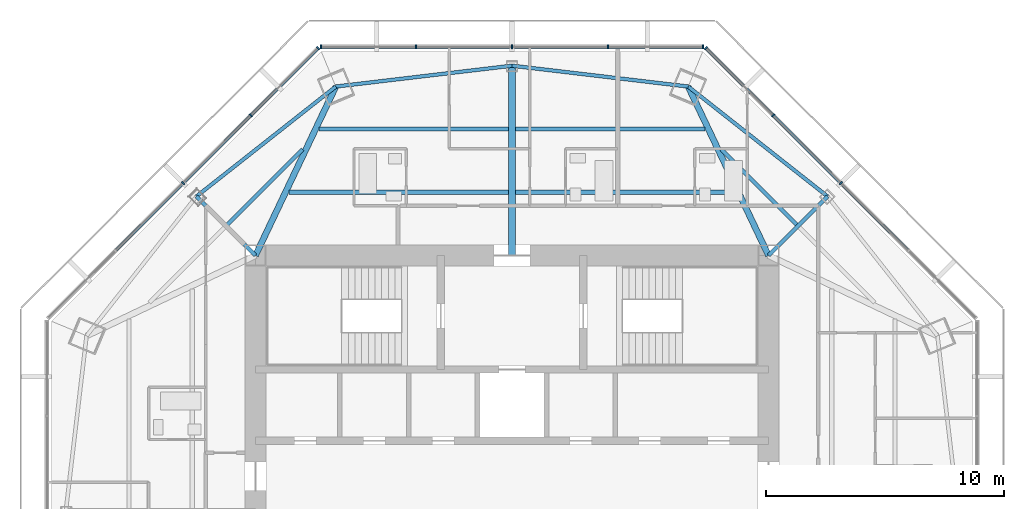
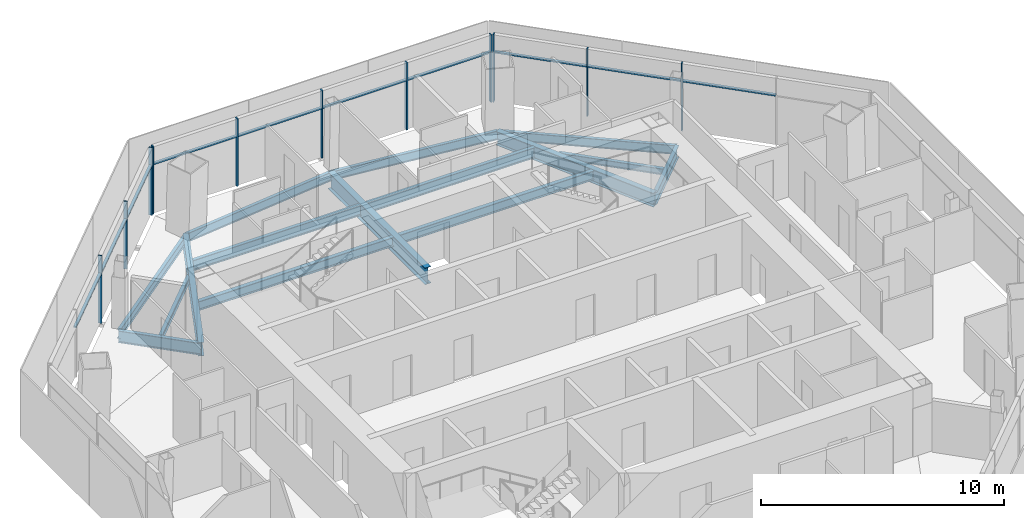
# One storey, part 6 of 15: 21 members, 15 beams, 3 elements without a shape of their own.
"""IFC4 building model written with IfcOpenShell, lengths in metres."""

from ifc_helpers import new_model, si_unit, direction, frame, origin, origin_2d, place, context, subcontext, project, spatial, rectangle, i_section, extrude, source, transform, mapped, material, material_profile, profile_set, type_object, type_shapes, element, aggregate, save


model = new_model("IFC4")

# Units and contexts
model_context = context("Model", 3, precision=1e-05, world=origin(), true_north=direction((0.0, 1.0)))
body_context = subcontext(model_context, "Body", "Model", "MODEL_VIEW")
ifc_project = project(units=[si_unit("LENGTHUNIT", "METRE"), si_unit("AREAUNIT", "SQUARE_METRE"), si_unit("VOLUMEUNIT", "CUBIC_METRE"), si_unit("PLANEANGLEUNIT", "RADIAN"), si_unit("MASSUNIT", "GRAM", prefix="KILO")], contexts=[model_context])

# Site, building, storey
site_placement = place(None, origin())
site = spatial("IfcSite", under=ifc_project, at=site_placement, CompositionType="ELEMENT")
building_placement = place(site_placement, origin())
building = spatial("IfcBuilding", under=site, at=building_placement, Name="Mashrafa Tower", CompositionType="ELEMENT")
storey_placement = place(building_placement, frame((0.0, 0.0, 298.0)))
storey = spatial("IfcBuildingStorey", under=building, at=storey_placement, Name="L73", CompositionType="ELEMENT", Elevation=298.0)

# Beams
ifc_material_1 = material(Name="Steel ASTM A992", Category="steel")
ifc_material_profile_1 = material_profile(ifc_material_1, i_section(OverallWidth=0.164794921875, OverallDepth=0.309814453125, WebThickness=0.005859375, FlangeThickness=0.009765625, FilletRadius=0.007568359375, at=origin_2d()), Name="W12X26")
ifc_profile_set_1 = profile_set([ifc_material_profile_1], Name="Steel ASTM A992")
beam_type_1 = type_object("IfcBeamType", Name="Beam W12X26", PredefinedType="BEAM", material=ifc_profile_set_1)
for number, where, z_axis, x_axis, name in (
    (1, (-11.98046875, 12.1064453125, -0.35498046875), (0.707134074703, 0.707079486616, 0.0), (-0.707079486616, 0.707134074703, 0.0), "Floor beam L73 007"),
    (2, (8.81787109375, 15.268798828125, -0.35498046875), (0.707134074703, -0.707079486616, 0.0), (0.707079486616, 0.707134074703, 0.0), "Floor beam L73 016"),
):
    element("IfcBeam", number, at=place(storey_placement, frame(where, z_axis=z_axis, x_axis=x_axis)), inside=storey, type_object=beam_type_1, Name=name, PredefinedType="BEAM", context=body_context, shape_type="SweptSolid", body=[
        extrude(i_section(OverallWidth=0.164794921875, OverallDepth=0.309814453125, WebThickness=0.005859375, FlangeThickness=0.009765625, FilletRadius=0.007568359375, at=origin_2d()), origin(), (0.0, 0.0, 1.0), 4.472412109375),
    ])
ifc_material_2 = material(Name="Steel ASTM A992", Category="steel")
ifc_material_profile_2 = material_profile(ifc_material_2, i_section(OverallWidth=0.15234375, OverallDepth=0.449462890625, WebThickness=0.007568359375, FlangeThickness=0.0107421875, FilletRadius=0.01025390625, at=origin_2d()), Name="W18X35")
ifc_profile_set_2 = profile_set([ifc_material_profile_2], Name="Steel ASTM A992")
beam_type_2 = type_object("IfcBeamType", Name="Beam W18X35", PredefinedType="BEAM", material=ifc_profile_set_2)
for number, where, z_axis, x_axis, name in (
    (3, (-7.41943359375, 17.912109375, -0.4248046875), (-0.785334240221, -0.619071991885, 0.0), (0.619071991885, -0.785334240221, 0.0), "Spandrel beam L73 047"),
    (4, (0.0, 18.790283203125, -0.4248046875), (-0.993068050855, -0.117540828527, 0.0), (0.117540828527, -0.993068050855, 0.0), "Spandrel beam L73 049"),
    (5, (7.41943359375, 17.912109375, -0.4248046875), (-0.993068050855, 0.117540828527, 0.0), (-0.117540828527, -0.993068050855, 0.0), "Spandrel beam L73 051"),
    (6, (13.286865234375, 13.286865234375, -0.4248046875), (-0.785334240221, 0.619071991885, 0.0), (-0.619071991885, -0.785334240221, 0.0), "Spandrel beam L73 053"),
):
    element("IfcBeam", number, at=place(storey_placement, frame(where, z_axis=z_axis, x_axis=x_axis)), inside=storey, type_object=beam_type_2, Name=name, PredefinedType="BEAM", context=body_context, shape_type="SweptSolid", body=[
        extrude(i_section(OverallWidth=0.15234375, OverallDepth=0.449462890625, WebThickness=0.007568359375, FlangeThickness=0.0107421875, FilletRadius=0.01025390625, at=origin_2d()), origin(), (0.0, 0.0, 1.0), 7.47119140625),
    ])
ifc_material_3 = material(Name="Steel ASTM A992", Category="steel")
ifc_material_profile_3 = material_profile(ifc_material_3, i_section(OverallWidth=0.191162109375, OverallDepth=0.459716796875, WebThickness=0.010009765625, FlangeThickness=0.01611328125, FilletRadius=0.01025390625, at=origin_2d()), Name="W18X55")
ifc_profile_set_3 = profile_set([ifc_material_profile_3], Name="Steel ASTM A992")
beam_type_3 = type_object("IfcBeamType", Name="Beam W18X55", PredefinedType="BEAM", material=ifc_profile_set_3)
for number, where, z_axis, x_axis, name in (
    (7, (-9.39208984375, 13.46337890625, -0.429931640625), (1.0, 0.0, 0.0), (0.0, 1.0, 0.0), "Floor beam L73 008"),
    (8, (0.14599609375, 13.46337890625, -0.429931640625), (1.0, 0.0, 0.0), (0.0, 1.0, 0.0), "Floor beam L73 013"),
):
    element("IfcBeam", number, at=place(storey_placement, frame(where, z_axis=z_axis, x_axis=x_axis)), inside=storey, type_object=beam_type_3, Name=name, PredefinedType="BEAM", context=body_context, shape_type="SweptSolid", body=[
        extrude(i_section(OverallWidth=0.191162109375, OverallDepth=0.459716796875, WebThickness=0.010009765625, FlangeThickness=0.01611328125, FilletRadius=0.01025390625, at=origin_2d()), origin(), (0.0, 0.0, 1.0), 9.24609375),
    ])
ifc_material_4 = material(Name="Steel ASTM A992", Category="steel")
ifc_material_profile_4 = material_profile(ifc_material_4, i_section(OverallWidth=0.165771484375, OverallDepth=0.5283203125, WebThickness=0.009765625, FlangeThickness=0.013671875, FilletRadius=0.012939453125, at=origin_2d()), Name="W21X50")
ifc_profile_set_4 = profile_set([ifc_material_profile_4], Name="Steel ASTM A992")
beam_type_4 = type_object("IfcBeamType", Name="Beam W21X50", PredefinedType="BEAM", material=ifc_profile_set_4)
for number, where, z_axis, x_axis, name in (
    (9, (-8.126220703125, 16.126953125, -0.464111328125), (1.0, 0.0, 0.0), (0.0, 1.0, 0.0), "Floor beam L73 010"),
    (10, (0.14599609375, 16.126953125, -0.464111328125), (1.0, 0.0, 0.0), (0.0, 1.0, 0.0), "Floor beam L73 014"),
):
    element("IfcBeam", number, at=place(storey_placement, frame(where, z_axis=z_axis, x_axis=x_axis)), inside=storey, type_object=beam_type_4, Name=name, PredefinedType="BEAM", context=body_context, shape_type="SweptSolid", body=[
        extrude(i_section(OverallWidth=0.165771484375, OverallDepth=0.5283203125, WebThickness=0.009765625, FlangeThickness=0.013671875, FilletRadius=0.012939453125, at=origin_2d()), origin(), (0.0, 0.0, 1.0), 7.980224609375),
    ])
ifc_material_5 = material(Name="Steel ASTM A992", Category="steel")
ifc_material_profile_5 = material_profile(ifc_material_5, i_section(OverallWidth=0.177978515625, OverallDepth=0.599365234375, WebThickness=0.010009765625, FlangeThickness=0.012939453125, FilletRadius=0.012939453125, at=origin_2d()), Name="W24X55")
ifc_profile_set_5 = profile_set([ifc_material_profile_5], Name="Steel ASTM A992")
beam_type_5 = type_object("IfcBeamType", Name="Beam W24X55", PredefinedType="BEAM", material=ifc_profile_set_5)
for number, where, z_axis, x_axis, name in (
    (11, (-10.800048828125, 10.800048828125, -0.499755859375), (-0.707106781187, 0.707106781187, 0.0), (-0.707106781187, -0.707106781187, 0.0), "Radial girder L73 030"),
    (12, (10.800048828125, 10.800048828125, -0.499755859375), (0.707106781187, 0.707106781187, 0.0), (-0.707106781187, 0.707106781187, 0.0), "Radial girder L73 039"),
):
    element("IfcBeam", number, at=place(storey_placement, frame(where, z_axis=z_axis, x_axis=x_axis)), inside=storey, type_object=beam_type_5, Name=name, PredefinedType="BEAM", context=body_context, shape_type="SweptSolid", body=[
        extrude(i_section(OverallWidth=0.177978515625, OverallDepth=0.599365234375, WebThickness=0.010009765625, FlangeThickness=0.012939453125, FilletRadius=0.012939453125, at=origin_2d()), origin(), (0.0, 0.0, 1.0), 3.516845703125),
    ])
ifc_material_6 = material(Name="Steel ASTM A992", Category="steel")
ifc_material_profile_6 = material_profile(ifc_material_6, i_section(OverallWidth=0.256591796875, OverallDepth=0.693359375, WebThickness=0.014404296875, FlangeThickness=0.023681640625, FilletRadius=0.01513671875, at=origin_2d()), Name="W27X114")
ifc_profile_set_6 = profile_set([ifc_material_profile_6], Name="Steel ASTM A992")
beam_type_6 = type_object("IfcBeamType", Name="Beam W27X114", PredefinedType="BEAM", material=ifc_profile_set_6)
for number, where, z_axis, x_axis, name in (
    (13, (-10.800048828125, 10.800048828125, -0.546630859375), (0.429304066805, 0.903160018061, 0.0), (-0.903160018061, 0.429304066805, 0.0), "Radial girder L73 031"),
    (14, (10.800048828125, 10.800048828125, -0.546630859375), (-0.429304066805, 0.903160018061, 0.0), (-0.903160018061, -0.429304066805, 0.0), "Radial girder L73 038"),
):
    element("IfcBeam", number, at=place(storey_placement, frame(where, z_axis=z_axis, x_axis=x_axis)), inside=storey, type_object=beam_type_6, Name=name, PredefinedType="BEAM", context=body_context, shape_type="SweptSolid", body=[
        extrude(i_section(OverallWidth=0.256591796875, OverallDepth=0.693359375, WebThickness=0.014404296875, FlangeThickness=0.023681640625, FilletRadius=0.01513671875, at=origin_2d()), origin(), (0.0, 0.0, 1.0), 7.874755859375),
    ])
ifc_material_7 = material(Name="Steel ASTM A992", Category="steel")
ifc_material_profile_7 = material_profile(ifc_material_7, i_section(OverallWidth=0.2919921875, OverallDepth=0.8408203125, WebThickness=0.0146484375, FlangeThickness=0.021728515625, FilletRadius=0.017333984375, at=origin_2d()), Name="W33X130")
ifc_profile_set_7 = profile_set([ifc_material_profile_7], Name="Steel ASTM A992")
beam_type_7 = type_object("IfcBeamType", Name="Beam W33X130", PredefinedType="BEAM", material=ifc_profile_set_7)
beam_placement = place(storey_placement, frame((0.0, 10.800048828125, -0.620361328125), z_axis=(0.0, 1.0, 0.0), x_axis=(-1.0, 0.0, 0.0)))
element("IfcBeam", 15, at=beam_placement, inside=storey, type_object=beam_type_7, Name="Radial girder L73 033", PredefinedType="BEAM", context=body_context, shape_type="SweptSolid", body=[
    extrude(i_section(OverallWidth=0.2919921875, OverallDepth=0.8408203125, WebThickness=0.0146484375, FlangeThickness=0.021728515625, FilletRadius=0.017333984375, at=origin_2d()), origin(), (0.0, 0.0, 1.0), 7.990234375),
])

# Curtain wall, members
ifc_material_8 = material(Name="Unitised aluminium curtain wall", Category="aluminium")
curtain_wall_type = type_object("IfcCurtainWallType", Name="Apartment curtain wall, zone 4 CW-D 160 deep", PredefinedType="NOTDEFINED", material=ifc_material_8)
curtain_wall_1_placement = place(storey_placement, origin())
curtain_wall_1 = element("IfcCurtainWall", 16, at=curtain_wall_1_placement, inside=storey, type_object=curtain_wall_type, Name="Apartment curtain wall, zone 4 L73 north-east", PredefinedType="NOTDEFINED")
ifc_material_9 = material(Name="Extruded aluminium mullion", Category="aluminium")
ifc_material_profile_8 = material_profile(ifc_material_9, rectangle(XDim=0.159912109375, YDim=0.06005859375, at=origin_2d()), Name="Mullion 60x160")
ifc_profile_set_8 = profile_set([ifc_material_profile_8], Name="Extruded aluminium mullion")
member_type_1 = type_object("IfcMemberType", Name="Mullion CW-D 60 x 160", PredefinedType="MULLION", material=ifc_profile_set_8)
shared_shape_1 = source(origin(), body_context, "Body", "SweptSolid", [
    extrude(rectangle(XDim=0.159912109375, YDim=0.06005859375, at=origin_2d()), origin(), (0.0, 0.0, 1.0), 3.39990234375),
])
type_shapes(member_type_1, [shared_shape_1])
member_1_placement = place(storey_placement, frame((13.848388671875, 13.848388671875, 0.0), z_axis=(0.0, 0.0, 1.0), x_axis=(-0.707106781187, -0.707106781187, 0.0)))
member_1 = element("IfcMember", 17, at=member_1_placement, type_object=member_type_1, Name="CW-D mullion 3", PredefinedType="MULLION", context=body_context, shape_type="MappedRepresentation", body=[
    mapped(shared_shape_1, transform((0.0, 0.0, 0.0))),
])
member_2_placement = place(storey_placement, frame((10.99560546875, 16.701416015625, 0.0), z_axis=(0.0, 0.0, 1.0), x_axis=(-0.707106781187, -0.707106781187, 0.0)))
member_2 = element("IfcMember", 18, at=member_2_placement, type_object=member_type_1, Name="CW-D mullion 4", PredefinedType="MULLION", context=body_context, shape_type="MappedRepresentation", body=[
    mapped(shared_shape_1, transform((0.0, 0.0, 0.0))),
])
member_3_placement = place(storey_placement, frame((8.1640625, 19.532958984375, 0.0), z_axis=(0.0, 0.0, 1.0), x_axis=(-0.707106781187, -0.707106781187, 0.0)))
member_3 = element("IfcMember", 19, at=member_3_placement, type_object=member_type_1, Name="CW-D mullion 5", PredefinedType="MULLION", context=body_context, shape_type="MappedRepresentation", body=[
    mapped(shared_shape_1, transform((0.0, 0.0, 0.0))),
])

curtain_wall_2_placement = place(storey_placement, origin())
curtain_wall_2 = element("IfcCurtainWall", 20, at=curtain_wall_2_placement, inside=storey, type_object=curtain_wall_type, Name="Apartment curtain wall, zone 4 L73 north", PredefinedType="NOTDEFINED")
member_4_placement = place(storey_placement, frame((8.0390625, 19.584716796875, 0.0), z_axis=(0.0, 0.0, 1.0), x_axis=(0.0, -1.0, 0.0)))
member_4 = element("IfcMember", 21, at=member_4_placement, type_object=member_type_1, Name="CW-D mullion 1", PredefinedType="MULLION", context=body_context, shape_type="MappedRepresentation", body=[
    mapped(shared_shape_1, transform((0.0, 0.0, 0.0))),
])
member_5_placement = place(storey_placement, frame((4.03466796875, 19.584716796875, 0.0), z_axis=(0.0, 0.0, 1.0), x_axis=(0.0, -1.0, 0.0)))
member_5 = element("IfcMember", 22, at=member_5_placement, type_object=member_type_1, Name="CW-D mullion 2", PredefinedType="MULLION", context=body_context, shape_type="MappedRepresentation", body=[
    mapped(shared_shape_1, transform((0.0, 0.0, 0.0))),
])
member_6_placement = place(storey_placement, frame((0.0, 19.584716796875, 0.0), z_axis=(0.0, 0.0, 1.0), x_axis=(0.0, -1.0, 0.0)))
member_6 = element("IfcMember", 23, at=member_6_placement, type_object=member_type_1, Name="CW-D mullion 3", PredefinedType="MULLION", context=body_context, shape_type="MappedRepresentation", body=[
    mapped(shared_shape_1, transform((0.0, 0.0, 0.0))),
])
member_7_placement = place(storey_placement, frame((-4.03466796875, 19.584716796875, 0.0), z_axis=(0.0, 0.0, 1.0), x_axis=(0.0, -1.0, 0.0)))
member_7 = element("IfcMember", 24, at=member_7_placement, type_object=member_type_1, Name="CW-D mullion 4", PredefinedType="MULLION", context=body_context, shape_type="MappedRepresentation", body=[
    mapped(shared_shape_1, transform((0.0, 0.0, 0.0))),
])
member_8_placement = place(storey_placement, frame((-8.0390625, 19.584716796875, 0.0), z_axis=(0.0, 0.0, 1.0), x_axis=(0.0, -1.0, 0.0)))
member_8 = element("IfcMember", 25, at=member_8_placement, type_object=member_type_1, Name="CW-D mullion 5", PredefinedType="MULLION", context=body_context, shape_type="MappedRepresentation", body=[
    mapped(shared_shape_1, transform((0.0, 0.0, 0.0))),
])

curtain_wall_3_placement = place(storey_placement, origin())
curtain_wall_3 = element("IfcCurtainWall", 26, at=curtain_wall_3_placement, inside=storey, type_object=curtain_wall_type, Name="Apartment curtain wall, zone 4 L73 north-west", PredefinedType="NOTDEFINED")
member_9_placement = place(storey_placement, frame((-8.1640625, 19.532958984375, 0.0), z_axis=(0.0, 0.0, 1.0), x_axis=(0.707106781187, -0.707106781187, 0.0)))
member_9 = element("IfcMember", 27, at=member_9_placement, type_object=member_type_1, Name="CW-D mullion 1", PredefinedType="MULLION", context=body_context, shape_type="MappedRepresentation", body=[
    mapped(shared_shape_1, transform((0.0, 0.0, 0.0))),
])
member_10_placement = place(storey_placement, frame((-10.99560546875, 16.701416015625, 0.0), z_axis=(0.0, 0.0, 1.0), x_axis=(0.707106781187, -0.707106781187, 0.0)))
member_10 = element("IfcMember", 28, at=member_10_placement, type_object=member_type_1, Name="CW-D mullion 2", PredefinedType="MULLION", context=body_context, shape_type="MappedRepresentation", body=[
    mapped(shared_shape_1, transform((0.0, 0.0, 0.0))),
])
member_11_placement = place(storey_placement, frame((-13.848388671875, 13.848388671875, 0.0), z_axis=(0.0, 0.0, 1.0), x_axis=(0.707106781187, -0.707106781187, 0.0)))
member_11 = element("IfcMember", 29, at=member_11_placement, type_object=member_type_1, Name="CW-D mullion 3", PredefinedType="MULLION", context=body_context, shape_type="MappedRepresentation", body=[
    mapped(shared_shape_1, transform((0.0, 0.0, 0.0))),
])

# Member
ifc_material_10 = material(Name="Extruded aluminium transom", Category="aluminium")
ifc_material_profile_9 = material_profile(ifc_material_10, rectangle(XDim=0.1279296875, YDim=0.074951171875, at=origin_2d()), Name="Transom 75x128")
ifc_profile_set_9 = profile_set([ifc_material_profile_9], Name="Extruded aluminium transom")
member_type_2 = type_object("IfcMemberType", Name="Transom CW-D 75 x 128", PredefinedType="MULLION", material=ifc_profile_set_9)
shared_shape_2 = source(origin(), body_context, "Body", "SweptSolid", [
    extrude(rectangle(XDim=0.1279296875, YDim=0.074951171875, at=origin_2d()), origin(), (0.0, 0.0, 1.0), 3.944580078125),
])
member_12_placement = place(storey_placement, frame((8.009033203125, 19.584716796875, 2.5), z_axis=(-1.0, 0.0, 0.0), x_axis=(0.0, -1.0, 0.0)))
member_12 = element("IfcMember", 30, at=member_12_placement, type_object=member_type_2, Name="CW-D transom 1", PredefinedType="MULLION", context=body_context, shape_type="MappedRepresentation", body=[
    mapped(shared_shape_2, transform((0.0, 0.0, 0.0))),
])

member_13_placement = place(storey_placement, frame((-4.064453125, 19.584716796875, 2.5), z_axis=(-1.0, 0.0, 0.0), x_axis=(0.0, -1.0, 0.0)))
member_13 = element("IfcMember", 31, at=member_13_placement, type_object=member_type_2, Name="CW-D transom 4", PredefinedType="MULLION", context=body_context, shape_type="MappedRepresentation", body=[
    mapped(shared_shape_2, transform((0.0, 0.0, 0.0))),
])

shared_shape_3 = source(origin(), body_context, "Body", "SweptSolid", [
    extrude(rectangle(XDim=0.1279296875, YDim=0.074951171875, at=origin_2d()), origin(), (0.0, 0.0, 1.0), 3.974609375),
])
member_14_placement = place(storey_placement, frame((16.68017578125, 11.016845703125, 2.5), z_axis=(-0.707106781187, 0.707106781187, 0.0), x_axis=(-0.707106781187, -0.707106781187, 0.0)))
member_14 = element("IfcMember", 32, at=member_14_placement, type_object=member_type_2, Name="CW-D transom 2", PredefinedType="MULLION", context=body_context, shape_type="MappedRepresentation", body=[
    mapped(shared_shape_3, transform((0.0, 0.0, 0.0))),
])

member_15_placement = place(storey_placement, frame((13.827392578125, 13.86962890625, 2.5), z_axis=(-0.707106781187, 0.707106781187, 0.0), x_axis=(-0.707106781187, -0.707106781187, 0.0)))
member_15 = element("IfcMember", 33, at=member_15_placement, type_object=member_type_2, Name="CW-D transom 3", PredefinedType="MULLION", context=body_context, shape_type="MappedRepresentation", body=[
    mapped(shared_shape_3, transform((0.0, 0.0, 0.0))),
])

member_16_placement = place(storey_placement, frame((4.004638671875, 19.584716796875, 2.5), z_axis=(-1.0, 0.0, 0.0), x_axis=(0.0, -1.0, 0.0)))
member_16 = element("IfcMember", 34, at=member_16_placement, type_object=member_type_2, Name="CW-D transom 2", PredefinedType="MULLION", context=body_context, shape_type="MappedRepresentation", body=[
    mapped(shared_shape_3, transform((0.0, 0.0, 0.0))),
])

member_17_placement = place(storey_placement, frame((-0.030029296875, 19.584716796875, 2.5), z_axis=(-1.0, 0.0, 0.0), x_axis=(0.0, -1.0, 0.0)))
member_17 = element("IfcMember", 35, at=member_17_placement, type_object=member_type_2, Name="CW-D transom 3", PredefinedType="MULLION", context=body_context, shape_type="MappedRepresentation", body=[
    mapped(shared_shape_3, transform((0.0, 0.0, 0.0))),
])

aggregate(curtain_wall_2, [member_4, member_5, member_6, member_7, member_8, member_12, member_16, member_17, member_13])

member_18_placement = place(storey_placement, frame((-11.016845703125, 16.68017578125, 2.5), z_axis=(-0.707106781187, -0.707106781187, 0.0), x_axis=(0.707106781187, -0.707106781187, 0.0)))
member_18 = element("IfcMember", 36, at=member_18_placement, type_object=member_type_2, Name="CW-D transom 2", PredefinedType="MULLION", context=body_context, shape_type="MappedRepresentation", body=[
    mapped(shared_shape_3, transform((0.0, 0.0, 0.0))),
])

member_19_placement = place(storey_placement, frame((-13.86962890625, 13.827392578125, 2.5), z_axis=(-0.707106781187, -0.707106781187, 0.0), x_axis=(0.707106781187, -0.707106781187, 0.0)))
member_19 = element("IfcMember", 37, at=member_19_placement, type_object=member_type_2, Name="CW-D transom 3", PredefinedType="MULLION", context=body_context, shape_type="MappedRepresentation", body=[
    mapped(shared_shape_3, transform((0.0, 0.0, 0.0))),
])

shared_shape_4 = source(origin(), body_context, "Body", "SweptSolid", [
    extrude(rectangle(XDim=0.1279296875, YDim=0.074951171875, at=origin_2d()), origin(), (0.0, 0.0, 1.0), 3.9443359375),
])
type_shapes(member_type_2, [shared_shape_2, shared_shape_3, shared_shape_4])
member_20_placement = place(storey_placement, frame((10.974365234375, 16.72265625, 2.5), z_axis=(-0.707106781187, 0.707106781187, 0.0), x_axis=(-0.707106781187, -0.707106781187, 0.0)))
member_20 = element("IfcMember", 38, at=member_20_placement, type_object=member_type_2, Name="CW-D transom 4", PredefinedType="MULLION", context=body_context, shape_type="MappedRepresentation", body=[
    mapped(shared_shape_4, transform((0.0, 0.0, 0.0))),
])

aggregate(curtain_wall_1, [member_1, member_2, member_3, member_14, member_15, member_20])

member_21_placement = place(storey_placement, frame((-8.185302734375, 19.51171875, 2.5), z_axis=(-0.707106781187, -0.707106781187, 0.0), x_axis=(0.707106781187, -0.707106781187, 0.0)))
member_21 = element("IfcMember", 39, at=member_21_placement, type_object=member_type_2, Name="CW-D transom 1", PredefinedType="MULLION", context=body_context, shape_type="MappedRepresentation", body=[
    mapped(shared_shape_4, transform((0.0, 0.0, 0.0))),
])

aggregate(curtain_wall_3, [member_9, member_10, member_11, member_21, member_18, member_19])

save(model, "model.ifc")
